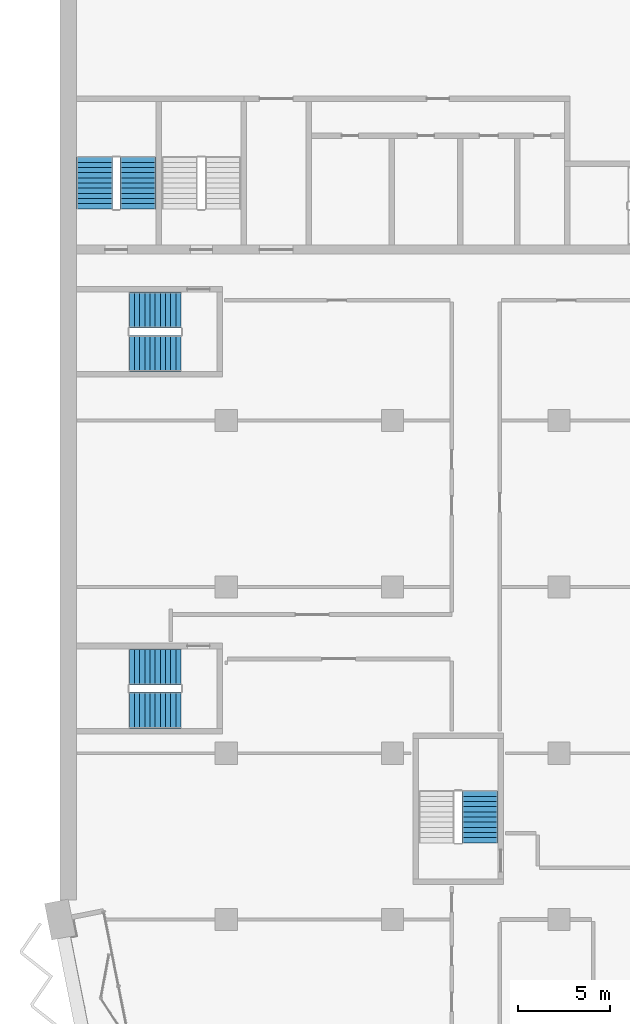
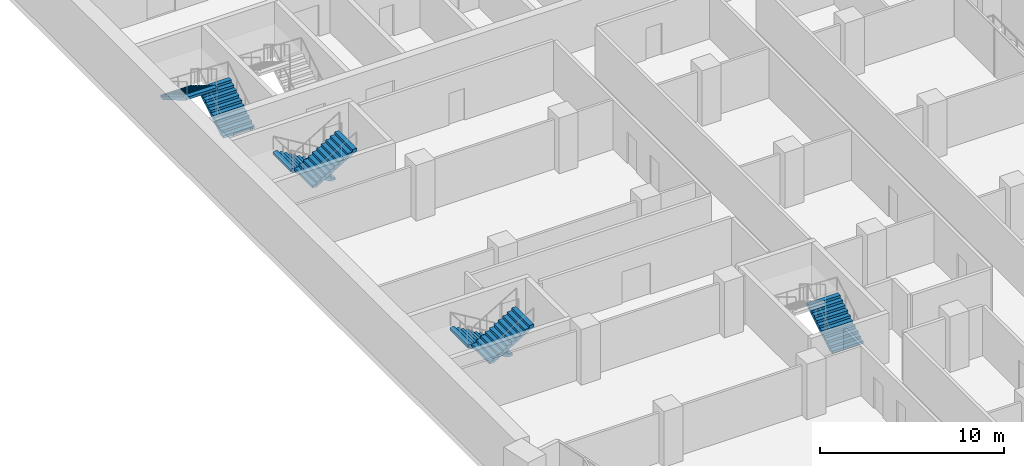
# One storey, part 16 of 23: 7 stair flights, 4 elements without a shape of their own.
"""IFC4 building model written with IfcOpenShell, lengths in metres."""

from ifc_helpers import new_model, si_unit, direction, frame, origin, place, context, subcontext, project, spatial, polyline, outline, extrude, material, type_object, element, aggregate, save


model = new_model("IFC4")

# Units and contexts
model_context = context("Model", 3, precision=1e-05, world=origin(), true_north=direction((0.0, 1.0)))
body_context = subcontext(model_context, "Body", "Model", "MODEL_VIEW")
ifc_project = project(units=[si_unit("LENGTHUNIT", "METRE"), si_unit("AREAUNIT", "SQUARE_METRE"), si_unit("VOLUMEUNIT", "CUBIC_METRE"), si_unit("PLANEANGLEUNIT", "RADIAN"), si_unit("MASSUNIT", "GRAM", prefix="KILO")], contexts=[model_context])

# Site, building, storey
site_placement = place(None, origin())
site = spatial("IfcSite", under=ifc_project, at=site_placement, CompositionType="ELEMENT")
building_placement = place(site_placement, origin())
building = spatial("IfcBuilding", under=site, at=building_placement, Name="Hunhe Ridgeline Campus", CompositionType="ELEMENT")
storey_placement = place(building_placement, frame((0.0, 0.0, 170.800048828125)))
storey = spatial("IfcBuildingStorey", under=building, at=storey_placement, Name="L43", CompositionType="ELEMENT", Elevation=170.800048828125)

# Stair, stair flights
ifc_material = material(Name="Concrete C40", Category="concrete")
stair_type = type_object("IfcStairType", Name="Reinforced concrete dog-leg stair 1950 Concrete C40", PredefinedType="HALF_TURN_STAIR", material=ifc_material)
stair_1_placement = place(storey_placement, origin())
stair_1 = element("IfcStair", 1, at=stair_1_placement, inside=storey, type_object=stair_type, Name="L43 S3", PredefinedType="HALF_TURN_STAIR")
stair_flight_type = type_object("IfcStairFlightType", Name="Reinforced concrete stair flight 1950 Concrete C40", PredefinedType="STRAIGHT", material=ifc_material)
stair_flight_1_placement = place(storey_placement, frame((4.22509765625, 65.449951171875, 0.0), z_axis=(0.0, 0.0, 1.0), x_axis=(0.0, 1.0, 0.0)))
stair_flight_1 = element("IfcStairFlight", 2, at=stair_flight_1_placement, type_object=stair_flight_type, Name="ST3 flight 1", NumberOfRisers=11, NumberOfTreads=10, PredefinedType="STRAIGHT", RiserHeight=0.168181818, TreadLength=0.28, context=body_context, shape_type="SweptSolid", body=[
    extrude(outline(polyline([(0.0, 0.0), (0.0, 0.168212890625), (0.280029296875, 0.168212890625), (0.280029296875, 0.33642578125), (0.56005859375, 0.33642578125), (0.56005859375, 0.504638671875), (0.840087890625, 0.504638671875), (0.840087890625, 0.672607421875), (1.1201171875, 0.672607421875), (1.1201171875, 0.8408203125), (1.39990234375, 0.8408203125), (1.39990234375, 1.009033203125), (1.679931640625, 1.009033203125), (1.679931640625, 1.17724609375), (1.9599609375, 1.17724609375), (1.9599609375, 1.345458984375), (2.239990234375, 1.345458984375), (2.239990234375, 1.513671875), (2.52001953125, 1.513671875), (2.52001953125, 1.681884765625), (2.800048828125, 1.681884765625), (2.800048828125, 1.85009765625), (2.800048828125, 1.5068359375), (0.291015625, 0.0), (0.0, 0.0)])), frame((0.0, 0.97509765625, 0.0), z_axis=(0.0, -1.0, 0.0), x_axis=(1.0, 0.0, 0.0)), (0.0, 0.0, 1.0), 1.949951171875),
    extrude(outline(polyline([(0.030029296875, 0.030029296875), (0.030029296875, 0.13818359375), (0.31005859375, 0.13818359375), (0.31005859375, 0.306396484375), (0.590087890625, 0.306396484375), (0.590087890625, 0.474609375), (0.8701171875, 0.474609375), (0.8701171875, 0.642578125), (1.14990234375, 0.642578125), (1.14990234375, 0.810791015625), (1.429931640625, 0.810791015625), (1.429931640625, 0.97900390625), (1.7099609375, 0.97900390625), (1.7099609375, 1.147216796875), (1.989990234375, 1.147216796875), (1.989990234375, 1.3154296875), (2.27001953125, 1.3154296875), (2.27001953125, 1.483642578125), (2.550048828125, 1.483642578125), (2.550048828125, 1.65185546875), (2.77001953125, 1.65185546875), (2.77001953125, 1.52392578125), (0.28271484375, 0.030029296875), (0.030029296875, 0.030029296875)])), frame((0.0, -0.070068359375, 0.0), z_axis=(0.0, -1.0, 0.0), x_axis=(1.0, 0.0, 0.0)), (0.0, 0.0, 1.0), 0.019775390625),
    extrude(outline(polyline([(0.030029296875, 0.030029296875), (0.030029296875, 0.13818359375), (0.31005859375, 0.13818359375), (0.31005859375, 0.306396484375), (0.590087890625, 0.306396484375), (0.590087890625, 0.474609375), (0.8701171875, 0.474609375), (0.8701171875, 0.642578125), (1.14990234375, 0.642578125), (1.14990234375, 0.810791015625), (1.429931640625, 0.810791015625), (1.429931640625, 0.97900390625), (1.7099609375, 0.97900390625), (1.7099609375, 1.147216796875), (1.989990234375, 1.147216796875), (1.989990234375, 1.3154296875), (2.27001953125, 1.3154296875), (2.27001953125, 1.483642578125), (2.550048828125, 1.483642578125), (2.550048828125, 1.65185546875), (2.77001953125, 1.65185546875), (2.77001953125, 1.52392578125), (0.28271484375, 0.030029296875), (0.030029296875, 0.030029296875)])), frame((0.0, 0.010009765625, 0.0), z_axis=(0.0, -1.0, 0.0), x_axis=(1.0, 0.0, 0.0)), (0.0, 0.0, 1.0), 0.019775390625),
    extrude(outline(polyline([(0.030029296875, 0.030029296875), (0.030029296875, 0.13818359375), (0.31005859375, 0.13818359375), (0.31005859375, 0.306396484375), (0.590087890625, 0.306396484375), (0.590087890625, 0.474609375), (0.8701171875, 0.474609375), (0.8701171875, 0.642578125), (1.14990234375, 0.642578125), (1.14990234375, 0.810791015625), (1.429931640625, 0.810791015625), (1.429931640625, 0.97900390625), (1.7099609375, 0.97900390625), (1.7099609375, 1.147216796875), (1.989990234375, 1.147216796875), (1.989990234375, 1.3154296875), (2.27001953125, 1.3154296875), (2.27001953125, 1.483642578125), (2.550048828125, 1.483642578125), (2.550048828125, 1.65185546875), (2.77001953125, 1.65185546875), (2.77001953125, 1.52392578125), (0.28271484375, 0.030029296875), (0.030029296875, 0.030029296875)])), frame((0.0, 0.090087890625, 0.0), z_axis=(0.0, -1.0, 0.0), x_axis=(1.0, 0.0, 0.0)), (0.0, 0.0, 1.0), 0.019775390625),
])
stair_flight_2_placement = place(storey_placement, frame((1.875, 68.25, 1.849853515625), z_axis=(0.0, 0.0, 1.0), x_axis=(0.0, -1.0, 0.0)))
stair_flight_2 = element("IfcStairFlight", 3, at=stair_flight_2_placement, type_object=stair_flight_type, Name="ST3 flight 2", NumberOfRisers=11, NumberOfTreads=10, PredefinedType="STRAIGHT", RiserHeight=0.168181818, TreadLength=0.28, context=body_context, shape_type="SweptSolid", body=[
    extrude(outline(polyline([(0.0, 0.0), (0.0, 0.168212890625), (0.280029296875, 0.168212890625), (0.280029296875, 0.33642578125), (0.56005859375, 0.33642578125), (0.56005859375, 0.504638671875), (0.840087890625, 0.504638671875), (0.840087890625, 0.672607421875), (1.1201171875, 0.672607421875), (1.1201171875, 0.8408203125), (1.39990234375, 0.8408203125), (1.39990234375, 1.009033203125), (1.679931640625, 1.009033203125), (1.679931640625, 1.17724609375), (1.9599609375, 1.17724609375), (1.9599609375, 1.345458984375), (2.239990234375, 1.345458984375), (2.239990234375, 1.513671875), (2.52001953125, 1.513671875), (2.52001953125, 1.681884765625), (2.800048828125, 1.681884765625), (2.800048828125, 1.85009765625), (2.800048828125, 1.5068359375), (0.291015625, 0.0), (0.0, 0.0)])), frame((0.0, 0.97509765625, 0.0), z_axis=(0.0, -1.0, 0.0), x_axis=(1.0, 0.0, 0.0)), (0.0, 0.0, 1.0), 1.949951171875),
    extrude(outline(polyline([(0.030029296875, 0.030029296875), (0.030029296875, 0.13818359375), (0.31005859375, 0.13818359375), (0.31005859375, 0.306396484375), (0.590087890625, 0.306396484375), (0.590087890625, 0.474609375), (0.8701171875, 0.474609375), (0.8701171875, 0.642578125), (1.14990234375, 0.642578125), (1.14990234375, 0.810791015625), (1.429931640625, 0.810791015625), (1.429931640625, 0.97900390625), (1.7099609375, 0.97900390625), (1.7099609375, 1.147216796875), (1.989990234375, 1.147216796875), (1.989990234375, 1.3154296875), (2.27001953125, 1.3154296875), (2.27001953125, 1.483642578125), (2.550048828125, 1.483642578125), (2.550048828125, 1.65185546875), (2.77001953125, 1.65185546875), (2.77001953125, 1.52392578125), (0.28271484375, 0.030029296875), (0.030029296875, 0.030029296875)])), frame((0.0, -0.070068359375, 0.0), z_axis=(0.0, -1.0, 0.0), x_axis=(1.0, 0.0, 0.0)), (0.0, 0.0, 1.0), 0.019775390625),
    extrude(outline(polyline([(0.030029296875, 0.030029296875), (0.030029296875, 0.13818359375), (0.31005859375, 0.13818359375), (0.31005859375, 0.306396484375), (0.590087890625, 0.306396484375), (0.590087890625, 0.474609375), (0.8701171875, 0.474609375), (0.8701171875, 0.642578125), (1.14990234375, 0.642578125), (1.14990234375, 0.810791015625), (1.429931640625, 0.810791015625), (1.429931640625, 0.97900390625), (1.7099609375, 0.97900390625), (1.7099609375, 1.147216796875), (1.989990234375, 1.147216796875), (1.989990234375, 1.3154296875), (2.27001953125, 1.3154296875), (2.27001953125, 1.483642578125), (2.550048828125, 1.483642578125), (2.550048828125, 1.65185546875), (2.77001953125, 1.65185546875), (2.77001953125, 1.52392578125), (0.28271484375, 0.030029296875), (0.030029296875, 0.030029296875)])), frame((0.0, 0.010009765625, 0.0), z_axis=(0.0, -1.0, 0.0), x_axis=(1.0, 0.0, 0.0)), (0.0, 0.0, 1.0), 0.019775390625),
    extrude(outline(polyline([(0.030029296875, 0.030029296875), (0.030029296875, 0.13818359375), (0.31005859375, 0.13818359375), (0.31005859375, 0.306396484375), (0.590087890625, 0.306396484375), (0.590087890625, 0.474609375), (0.8701171875, 0.474609375), (0.8701171875, 0.642578125), (1.14990234375, 0.642578125), (1.14990234375, 0.810791015625), (1.429931640625, 0.810791015625), (1.429931640625, 0.97900390625), (1.7099609375, 0.97900390625), (1.7099609375, 1.147216796875), (1.989990234375, 1.147216796875), (1.989990234375, 1.3154296875), (2.27001953125, 1.3154296875), (2.27001953125, 1.483642578125), (2.550048828125, 1.483642578125), (2.550048828125, 1.65185546875), (2.77001953125, 1.65185546875), (2.77001953125, 1.52392578125), (0.28271484375, 0.030029296875), (0.030029296875, 0.030029296875)])), frame((0.0, 0.090087890625, 0.0), z_axis=(0.0, -1.0, 0.0), x_axis=(1.0, 0.0, 0.0)), (0.0, 0.0, 1.0), 0.019775390625),
])
aggregate(stair_1, [stair_flight_1, stair_flight_2])

# Stair, stair flight
stair_2_placement = place(storey_placement, origin())
stair_2 = element("IfcStair", 4, at=stair_2_placement, inside=storey, type_object=stair_type, Name="L43 W3", PredefinedType="HALF_TURN_STAIR")
stair_flight_3_placement = place(storey_placement, frame((22.72509765625, 31.14990234375, 0.0), z_axis=(0.0, 0.0, 1.0), x_axis=(0.0, 1.0, 0.0)))
stair_flight_3 = element("IfcStairFlight", 5, at=stair_flight_3_placement, type_object=stair_flight_type, Name="ST9 flight 1", NumberOfRisers=11, NumberOfTreads=10, PredefinedType="STRAIGHT", RiserHeight=0.168181818, TreadLength=0.28, context=body_context, shape_type="SweptSolid", body=[
    extrude(outline(polyline([(0.0, 0.0), (0.0, 0.168212890625), (0.280029296875, 0.168212890625), (0.280029296875, 0.33642578125), (0.56005859375, 0.33642578125), (0.56005859375, 0.504638671875), (0.840087890625, 0.504638671875), (0.840087890625, 0.672607421875), (1.1201171875, 0.672607421875), (1.1201171875, 0.8408203125), (1.39990234375, 0.8408203125), (1.39990234375, 1.009033203125), (1.679931640625, 1.009033203125), (1.679931640625, 1.17724609375), (1.9599609375, 1.17724609375), (1.9599609375, 1.345458984375), (2.239990234375, 1.345458984375), (2.239990234375, 1.513671875), (2.52001953125, 1.513671875), (2.52001953125, 1.681884765625), (2.800048828125, 1.681884765625), (2.800048828125, 1.85009765625), (2.800048828125, 1.5068359375), (0.291015625, 0.0), (0.0, 0.0)])), frame((0.0, 0.97509765625, 0.0), z_axis=(0.0, -1.0, 0.0), x_axis=(1.0, 0.0, 0.0)), (0.0, 0.0, 1.0), 1.949951171875),
    extrude(outline(polyline([(0.030029296875, 0.030029296875), (0.030029296875, 0.13818359375), (0.31005859375, 0.13818359375), (0.31005859375, 0.306396484375), (0.590087890625, 0.306396484375), (0.590087890625, 0.474609375), (0.8701171875, 0.474609375), (0.8701171875, 0.642578125), (1.14990234375, 0.642578125), (1.14990234375, 0.810791015625), (1.429931640625, 0.810791015625), (1.429931640625, 0.97900390625), (1.7099609375, 0.97900390625), (1.7099609375, 1.147216796875), (1.989990234375, 1.147216796875), (1.989990234375, 1.3154296875), (2.27001953125, 1.3154296875), (2.27001953125, 1.483642578125), (2.550048828125, 1.483642578125), (2.550048828125, 1.65185546875), (2.77001953125, 1.65185546875), (2.77001953125, 1.52392578125), (0.28271484375, 0.030029296875), (0.030029296875, 0.030029296875)])), frame((0.0, -0.070068359375, 0.0), z_axis=(0.0, -1.0, 0.0), x_axis=(1.0, 0.0, 0.0)), (0.0, 0.0, 1.0), 0.019775390625),
    extrude(outline(polyline([(0.030029296875, 0.030029296875), (0.030029296875, 0.13818359375), (0.31005859375, 0.13818359375), (0.31005859375, 0.306396484375), (0.590087890625, 0.306396484375), (0.590087890625, 0.474609375), (0.8701171875, 0.474609375), (0.8701171875, 0.642578125), (1.14990234375, 0.642578125), (1.14990234375, 0.810791015625), (1.429931640625, 0.810791015625), (1.429931640625, 0.97900390625), (1.7099609375, 0.97900390625), (1.7099609375, 1.147216796875), (1.989990234375, 1.147216796875), (1.989990234375, 1.3154296875), (2.27001953125, 1.3154296875), (2.27001953125, 1.483642578125), (2.550048828125, 1.483642578125), (2.550048828125, 1.65185546875), (2.77001953125, 1.65185546875), (2.77001953125, 1.52392578125), (0.28271484375, 0.030029296875), (0.030029296875, 0.030029296875)])), frame((0.0, 0.010009765625, 0.0), z_axis=(0.0, -1.0, 0.0), x_axis=(1.0, 0.0, 0.0)), (0.0, 0.0, 1.0), 0.019775390625),
    extrude(outline(polyline([(0.030029296875, 0.030029296875), (0.030029296875, 0.13818359375), (0.31005859375, 0.13818359375), (0.31005859375, 0.306396484375), (0.590087890625, 0.306396484375), (0.590087890625, 0.474609375), (0.8701171875, 0.474609375), (0.8701171875, 0.642578125), (1.14990234375, 0.642578125), (1.14990234375, 0.810791015625), (1.429931640625, 0.810791015625), (1.429931640625, 0.97900390625), (1.7099609375, 0.97900390625), (1.7099609375, 1.147216796875), (1.989990234375, 1.147216796875), (1.989990234375, 1.3154296875), (2.27001953125, 1.3154296875), (2.27001953125, 1.483642578125), (2.550048828125, 1.483642578125), (2.550048828125, 1.65185546875), (2.77001953125, 1.65185546875), (2.77001953125, 1.52392578125), (0.28271484375, 0.030029296875), (0.030029296875, 0.030029296875)])), frame((0.0, 0.090087890625, 0.0), z_axis=(0.0, -1.0, 0.0), x_axis=(1.0, 0.0, 0.0)), (0.0, 0.0, 1.0), 0.019775390625),
])
aggregate(stair_2, [stair_flight_3])

# Stair, stair flights
stair_3_placement = place(storey_placement, origin())
stair_3 = element("IfcStair", 6, at=stair_3_placement, inside=storey, type_object=stair_type, Name="L43 W1", PredefinedType="HALF_TURN_STAIR")
stair_flight_4_placement = place(storey_placement, frame((6.550048828125, 40.675048828125, 0.0), z_axis=(0.0, 0.0, 1.0), x_axis=(-1.0, 0.0, 0.0)))
stair_flight_4 = element("IfcStairFlight", 7, at=stair_flight_4_placement, type_object=stair_flight_type, Name="ST11 flight 1", NumberOfRisers=11, NumberOfTreads=10, PredefinedType="STRAIGHT", RiserHeight=0.168181818, TreadLength=0.28, context=body_context, shape_type="SweptSolid", body=[
    extrude(outline(polyline([(0.0, 0.0), (0.0, 0.168212890625), (0.280029296875, 0.168212890625), (0.280029296875, 0.33642578125), (0.56005859375, 0.33642578125), (0.56005859375, 0.504638671875), (0.840087890625, 0.504638671875), (0.840087890625, 0.672607421875), (1.1201171875, 0.672607421875), (1.1201171875, 0.8408203125), (1.39990234375, 0.8408203125), (1.39990234375, 1.009033203125), (1.679931640625, 1.009033203125), (1.679931640625, 1.17724609375), (1.9599609375, 1.17724609375), (1.9599609375, 1.345458984375), (2.239990234375, 1.345458984375), (2.239990234375, 1.513671875), (2.52001953125, 1.513671875), (2.52001953125, 1.681884765625), (2.800048828125, 1.681884765625), (2.800048828125, 1.85009765625), (2.800048828125, 1.5068359375), (0.291015625, 0.0), (0.0, 0.0)])), frame((0.0, 0.97509765625, 0.0), z_axis=(0.0, -1.0, 0.0), x_axis=(1.0, 0.0, 0.0)), (0.0, 0.0, 1.0), 1.949951171875),
    extrude(outline(polyline([(0.030029296875, 0.030029296875), (0.030029296875, 0.13818359375), (0.31005859375, 0.13818359375), (0.31005859375, 0.306396484375), (0.590087890625, 0.306396484375), (0.590087890625, 0.474609375), (0.8701171875, 0.474609375), (0.8701171875, 0.642578125), (1.14990234375, 0.642578125), (1.14990234375, 0.810791015625), (1.429931640625, 0.810791015625), (1.429931640625, 0.97900390625), (1.7099609375, 0.97900390625), (1.7099609375, 1.147216796875), (1.989990234375, 1.147216796875), (1.989990234375, 1.3154296875), (2.27001953125, 1.3154296875), (2.27001953125, 1.483642578125), (2.550048828125, 1.483642578125), (2.550048828125, 1.65185546875), (2.77001953125, 1.65185546875), (2.77001953125, 1.52392578125), (0.28271484375, 0.030029296875), (0.030029296875, 0.030029296875)])), frame((0.0, -0.070068359375, 0.0), z_axis=(0.0, -1.0, 0.0), x_axis=(1.0, 0.0, 0.0)), (0.0, 0.0, 1.0), 0.019775390625),
    extrude(outline(polyline([(0.030029296875, 0.030029296875), (0.030029296875, 0.13818359375), (0.31005859375, 0.13818359375), (0.31005859375, 0.306396484375), (0.590087890625, 0.306396484375), (0.590087890625, 0.474609375), (0.8701171875, 0.474609375), (0.8701171875, 0.642578125), (1.14990234375, 0.642578125), (1.14990234375, 0.810791015625), (1.429931640625, 0.810791015625), (1.429931640625, 0.97900390625), (1.7099609375, 0.97900390625), (1.7099609375, 1.147216796875), (1.989990234375, 1.147216796875), (1.989990234375, 1.3154296875), (2.27001953125, 1.3154296875), (2.27001953125, 1.483642578125), (2.550048828125, 1.483642578125), (2.550048828125, 1.65185546875), (2.77001953125, 1.65185546875), (2.77001953125, 1.52392578125), (0.28271484375, 0.030029296875), (0.030029296875, 0.030029296875)])), frame((0.0, 0.010009765625, 0.0), z_axis=(0.0, -1.0, 0.0), x_axis=(1.0, 0.0, 0.0)), (0.0, 0.0, 1.0), 0.019775390625),
    extrude(outline(polyline([(0.030029296875, 0.030029296875), (0.030029296875, 0.13818359375), (0.31005859375, 0.13818359375), (0.31005859375, 0.306396484375), (0.590087890625, 0.306396484375), (0.590087890625, 0.474609375), (0.8701171875, 0.474609375), (0.8701171875, 0.642578125), (1.14990234375, 0.642578125), (1.14990234375, 0.810791015625), (1.429931640625, 0.810791015625), (1.429931640625, 0.97900390625), (1.7099609375, 0.97900390625), (1.7099609375, 1.147216796875), (1.989990234375, 1.147216796875), (1.989990234375, 1.3154296875), (2.27001953125, 1.3154296875), (2.27001953125, 1.483642578125), (2.550048828125, 1.483642578125), (2.550048828125, 1.65185546875), (2.77001953125, 1.65185546875), (2.77001953125, 1.52392578125), (0.28271484375, 0.030029296875), (0.030029296875, 0.030029296875)])), frame((0.0, 0.090087890625, 0.0), z_axis=(0.0, -1.0, 0.0), x_axis=(1.0, 0.0, 0.0)), (0.0, 0.0, 1.0), 0.019775390625),
])
stair_flight_5_placement = place(storey_placement, frame((3.75, 38.324951171875, 1.849853515625), z_axis=(0.0, 0.0, 1.0), x_axis=(1.0, 0.0, 0.0)))
stair_flight_5 = element("IfcStairFlight", 8, at=stair_flight_5_placement, type_object=stair_flight_type, Name="ST11 flight 2", NumberOfRisers=11, NumberOfTreads=10, PredefinedType="STRAIGHT", RiserHeight=0.168181818, TreadLength=0.28, context=body_context, shape_type="SweptSolid", body=[
    extrude(outline(polyline([(0.0, 0.0), (0.0, 0.168212890625), (0.280029296875, 0.168212890625), (0.280029296875, 0.33642578125), (0.56005859375, 0.33642578125), (0.56005859375, 0.504638671875), (0.840087890625, 0.504638671875), (0.840087890625, 0.672607421875), (1.1201171875, 0.672607421875), (1.1201171875, 0.8408203125), (1.39990234375, 0.8408203125), (1.39990234375, 1.009033203125), (1.679931640625, 1.009033203125), (1.679931640625, 1.17724609375), (1.9599609375, 1.17724609375), (1.9599609375, 1.345458984375), (2.239990234375, 1.345458984375), (2.239990234375, 1.513671875), (2.52001953125, 1.513671875), (2.52001953125, 1.681884765625), (2.800048828125, 1.681884765625), (2.800048828125, 1.85009765625), (2.800048828125, 1.5068359375), (0.291015625, 0.0), (0.0, 0.0)])), frame((0.0, 0.97509765625, 0.0), z_axis=(0.0, -1.0, 0.0), x_axis=(1.0, 0.0, 0.0)), (0.0, 0.0, 1.0), 1.949951171875),
    extrude(outline(polyline([(0.030029296875, 0.030029296875), (0.030029296875, 0.13818359375), (0.31005859375, 0.13818359375), (0.31005859375, 0.306396484375), (0.590087890625, 0.306396484375), (0.590087890625, 0.474609375), (0.8701171875, 0.474609375), (0.8701171875, 0.642578125), (1.14990234375, 0.642578125), (1.14990234375, 0.810791015625), (1.429931640625, 0.810791015625), (1.429931640625, 0.97900390625), (1.7099609375, 0.97900390625), (1.7099609375, 1.147216796875), (1.989990234375, 1.147216796875), (1.989990234375, 1.3154296875), (2.27001953125, 1.3154296875), (2.27001953125, 1.483642578125), (2.550048828125, 1.483642578125), (2.550048828125, 1.65185546875), (2.77001953125, 1.65185546875), (2.77001953125, 1.52392578125), (0.28271484375, 0.030029296875), (0.030029296875, 0.030029296875)])), frame((0.0, -0.070068359375, 0.0), z_axis=(0.0, -1.0, 0.0), x_axis=(1.0, 0.0, 0.0)), (0.0, 0.0, 1.0), 0.019775390625),
    extrude(outline(polyline([(0.030029296875, 0.030029296875), (0.030029296875, 0.13818359375), (0.31005859375, 0.13818359375), (0.31005859375, 0.306396484375), (0.590087890625, 0.306396484375), (0.590087890625, 0.474609375), (0.8701171875, 0.474609375), (0.8701171875, 0.642578125), (1.14990234375, 0.642578125), (1.14990234375, 0.810791015625), (1.429931640625, 0.810791015625), (1.429931640625, 0.97900390625), (1.7099609375, 0.97900390625), (1.7099609375, 1.147216796875), (1.989990234375, 1.147216796875), (1.989990234375, 1.3154296875), (2.27001953125, 1.3154296875), (2.27001953125, 1.483642578125), (2.550048828125, 1.483642578125), (2.550048828125, 1.65185546875), (2.77001953125, 1.65185546875), (2.77001953125, 1.52392578125), (0.28271484375, 0.030029296875), (0.030029296875, 0.030029296875)])), frame((0.0, 0.010009765625, 0.0), z_axis=(0.0, -1.0, 0.0), x_axis=(1.0, 0.0, 0.0)), (0.0, 0.0, 1.0), 0.019775390625),
    extrude(outline(polyline([(0.030029296875, 0.030029296875), (0.030029296875, 0.13818359375), (0.31005859375, 0.13818359375), (0.31005859375, 0.306396484375), (0.590087890625, 0.306396484375), (0.590087890625, 0.474609375), (0.8701171875, 0.474609375), (0.8701171875, 0.642578125), (1.14990234375, 0.642578125), (1.14990234375, 0.810791015625), (1.429931640625, 0.810791015625), (1.429931640625, 0.97900390625), (1.7099609375, 0.97900390625), (1.7099609375, 1.147216796875), (1.989990234375, 1.147216796875), (1.989990234375, 1.3154296875), (2.27001953125, 1.3154296875), (2.27001953125, 1.483642578125), (2.550048828125, 1.483642578125), (2.550048828125, 1.65185546875), (2.77001953125, 1.65185546875), (2.77001953125, 1.52392578125), (0.28271484375, 0.030029296875), (0.030029296875, 0.030029296875)])), frame((0.0, 0.090087890625, 0.0), z_axis=(0.0, -1.0, 0.0), x_axis=(1.0, 0.0, 0.0)), (0.0, 0.0, 1.0), 0.019775390625),
])
aggregate(stair_3, [stair_flight_4, stair_flight_5])

stair_4_placement = place(storey_placement, origin())
stair_4 = element("IfcStair", 9, at=stair_4_placement, inside=storey, type_object=stair_type, Name="L43 W2", PredefinedType="HALF_TURN_STAIR")
stair_flight_6_placement = place(storey_placement, frame((6.550048828125, 59.97509765625, 0.0), z_axis=(0.0, 0.0, 1.0), x_axis=(-1.0, 0.0, 0.0)))
stair_flight_6 = element("IfcStairFlight", 10, at=stair_flight_6_placement, type_object=stair_flight_type, Name="ST12 flight 1", NumberOfRisers=11, NumberOfTreads=10, PredefinedType="STRAIGHT", RiserHeight=0.168181818, TreadLength=0.28, context=body_context, shape_type="SweptSolid", body=[
    extrude(outline(polyline([(0.0, 0.0), (0.0, 0.168212890625), (0.280029296875, 0.168212890625), (0.280029296875, 0.33642578125), (0.56005859375, 0.33642578125), (0.56005859375, 0.504638671875), (0.840087890625, 0.504638671875), (0.840087890625, 0.672607421875), (1.1201171875, 0.672607421875), (1.1201171875, 0.8408203125), (1.39990234375, 0.8408203125), (1.39990234375, 1.009033203125), (1.679931640625, 1.009033203125), (1.679931640625, 1.17724609375), (1.9599609375, 1.17724609375), (1.9599609375, 1.345458984375), (2.239990234375, 1.345458984375), (2.239990234375, 1.513671875), (2.52001953125, 1.513671875), (2.52001953125, 1.681884765625), (2.800048828125, 1.681884765625), (2.800048828125, 1.85009765625), (2.800048828125, 1.5068359375), (0.291015625, 0.0), (0.0, 0.0)])), frame((0.0, 0.97509765625, 0.0), z_axis=(0.0, -1.0, 0.0), x_axis=(1.0, 0.0, 0.0)), (0.0, 0.0, 1.0), 1.949951171875),
    extrude(outline(polyline([(0.030029296875, 0.030029296875), (0.030029296875, 0.13818359375), (0.31005859375, 0.13818359375), (0.31005859375, 0.306396484375), (0.590087890625, 0.306396484375), (0.590087890625, 0.474609375), (0.8701171875, 0.474609375), (0.8701171875, 0.642578125), (1.14990234375, 0.642578125), (1.14990234375, 0.810791015625), (1.429931640625, 0.810791015625), (1.429931640625, 0.97900390625), (1.7099609375, 0.97900390625), (1.7099609375, 1.147216796875), (1.989990234375, 1.147216796875), (1.989990234375, 1.3154296875), (2.27001953125, 1.3154296875), (2.27001953125, 1.483642578125), (2.550048828125, 1.483642578125), (2.550048828125, 1.65185546875), (2.77001953125, 1.65185546875), (2.77001953125, 1.52392578125), (0.28271484375, 0.030029296875), (0.030029296875, 0.030029296875)])), frame((0.0, -0.070068359375, 0.0), z_axis=(0.0, -1.0, 0.0), x_axis=(1.0, 0.0, 0.0)), (0.0, 0.0, 1.0), 0.019775390625),
    extrude(outline(polyline([(0.030029296875, 0.030029296875), (0.030029296875, 0.13818359375), (0.31005859375, 0.13818359375), (0.31005859375, 0.306396484375), (0.590087890625, 0.306396484375), (0.590087890625, 0.474609375), (0.8701171875, 0.474609375), (0.8701171875, 0.642578125), (1.14990234375, 0.642578125), (1.14990234375, 0.810791015625), (1.429931640625, 0.810791015625), (1.429931640625, 0.97900390625), (1.7099609375, 0.97900390625), (1.7099609375, 1.147216796875), (1.989990234375, 1.147216796875), (1.989990234375, 1.3154296875), (2.27001953125, 1.3154296875), (2.27001953125, 1.483642578125), (2.550048828125, 1.483642578125), (2.550048828125, 1.65185546875), (2.77001953125, 1.65185546875), (2.77001953125, 1.52392578125), (0.28271484375, 0.030029296875), (0.030029296875, 0.030029296875)])), frame((0.0, 0.010009765625, 0.0), z_axis=(0.0, -1.0, 0.0), x_axis=(1.0, 0.0, 0.0)), (0.0, 0.0, 1.0), 0.019775390625),
    extrude(outline(polyline([(0.030029296875, 0.030029296875), (0.030029296875, 0.13818359375), (0.31005859375, 0.13818359375), (0.31005859375, 0.306396484375), (0.590087890625, 0.306396484375), (0.590087890625, 0.474609375), (0.8701171875, 0.474609375), (0.8701171875, 0.642578125), (1.14990234375, 0.642578125), (1.14990234375, 0.810791015625), (1.429931640625, 0.810791015625), (1.429931640625, 0.97900390625), (1.7099609375, 0.97900390625), (1.7099609375, 1.147216796875), (1.989990234375, 1.147216796875), (1.989990234375, 1.3154296875), (2.27001953125, 1.3154296875), (2.27001953125, 1.483642578125), (2.550048828125, 1.483642578125), (2.550048828125, 1.65185546875), (2.77001953125, 1.65185546875), (2.77001953125, 1.52392578125), (0.28271484375, 0.030029296875), (0.030029296875, 0.030029296875)])), frame((0.0, 0.090087890625, 0.0), z_axis=(0.0, -1.0, 0.0), x_axis=(1.0, 0.0, 0.0)), (0.0, 0.0, 1.0), 0.019775390625),
])
stair_flight_7_placement = place(storey_placement, frame((3.75, 57.625, 1.849853515625), z_axis=(0.0, 0.0, 1.0), x_axis=(1.0, 0.0, 0.0)))
stair_flight_7 = element("IfcStairFlight", 11, at=stair_flight_7_placement, type_object=stair_flight_type, Name="ST12 flight 2", NumberOfRisers=11, NumberOfTreads=10, PredefinedType="STRAIGHT", RiserHeight=0.168181818, TreadLength=0.28, context=body_context, shape_type="SweptSolid", body=[
    extrude(outline(polyline([(0.0, 0.0), (0.0, 0.168212890625), (0.280029296875, 0.168212890625), (0.280029296875, 0.33642578125), (0.56005859375, 0.33642578125), (0.56005859375, 0.504638671875), (0.840087890625, 0.504638671875), (0.840087890625, 0.672607421875), (1.1201171875, 0.672607421875), (1.1201171875, 0.8408203125), (1.39990234375, 0.8408203125), (1.39990234375, 1.009033203125), (1.679931640625, 1.009033203125), (1.679931640625, 1.17724609375), (1.9599609375, 1.17724609375), (1.9599609375, 1.345458984375), (2.239990234375, 1.345458984375), (2.239990234375, 1.513671875), (2.52001953125, 1.513671875), (2.52001953125, 1.681884765625), (2.800048828125, 1.681884765625), (2.800048828125, 1.85009765625), (2.800048828125, 1.5068359375), (0.291015625, 0.0), (0.0, 0.0)])), frame((0.0, 0.97509765625, 0.0), z_axis=(0.0, -1.0, 0.0), x_axis=(1.0, 0.0, 0.0)), (0.0, 0.0, 1.0), 1.949951171875),
    extrude(outline(polyline([(0.030029296875, 0.030029296875), (0.030029296875, 0.13818359375), (0.31005859375, 0.13818359375), (0.31005859375, 0.306396484375), (0.590087890625, 0.306396484375), (0.590087890625, 0.474609375), (0.8701171875, 0.474609375), (0.8701171875, 0.642578125), (1.14990234375, 0.642578125), (1.14990234375, 0.810791015625), (1.429931640625, 0.810791015625), (1.429931640625, 0.97900390625), (1.7099609375, 0.97900390625), (1.7099609375, 1.147216796875), (1.989990234375, 1.147216796875), (1.989990234375, 1.3154296875), (2.27001953125, 1.3154296875), (2.27001953125, 1.483642578125), (2.550048828125, 1.483642578125), (2.550048828125, 1.65185546875), (2.77001953125, 1.65185546875), (2.77001953125, 1.52392578125), (0.28271484375, 0.030029296875), (0.030029296875, 0.030029296875)])), frame((0.0, -0.070068359375, 0.0), z_axis=(0.0, -1.0, 0.0), x_axis=(1.0, 0.0, 0.0)), (0.0, 0.0, 1.0), 0.019775390625),
    extrude(outline(polyline([(0.030029296875, 0.030029296875), (0.030029296875, 0.13818359375), (0.31005859375, 0.13818359375), (0.31005859375, 0.306396484375), (0.590087890625, 0.306396484375), (0.590087890625, 0.474609375), (0.8701171875, 0.474609375), (0.8701171875, 0.642578125), (1.14990234375, 0.642578125), (1.14990234375, 0.810791015625), (1.429931640625, 0.810791015625), (1.429931640625, 0.97900390625), (1.7099609375, 0.97900390625), (1.7099609375, 1.147216796875), (1.989990234375, 1.147216796875), (1.989990234375, 1.3154296875), (2.27001953125, 1.3154296875), (2.27001953125, 1.483642578125), (2.550048828125, 1.483642578125), (2.550048828125, 1.65185546875), (2.77001953125, 1.65185546875), (2.77001953125, 1.52392578125), (0.28271484375, 0.030029296875), (0.030029296875, 0.030029296875)])), frame((0.0, 0.010009765625, 0.0), z_axis=(0.0, -1.0, 0.0), x_axis=(1.0, 0.0, 0.0)), (0.0, 0.0, 1.0), 0.019775390625),
    extrude(outline(polyline([(0.030029296875, 0.030029296875), (0.030029296875, 0.13818359375), (0.31005859375, 0.13818359375), (0.31005859375, 0.306396484375), (0.590087890625, 0.306396484375), (0.590087890625, 0.474609375), (0.8701171875, 0.474609375), (0.8701171875, 0.642578125), (1.14990234375, 0.642578125), (1.14990234375, 0.810791015625), (1.429931640625, 0.810791015625), (1.429931640625, 0.97900390625), (1.7099609375, 0.97900390625), (1.7099609375, 1.147216796875), (1.989990234375, 1.147216796875), (1.989990234375, 1.3154296875), (2.27001953125, 1.3154296875), (2.27001953125, 1.483642578125), (2.550048828125, 1.483642578125), (2.550048828125, 1.65185546875), (2.77001953125, 1.65185546875), (2.77001953125, 1.52392578125), (0.28271484375, 0.030029296875), (0.030029296875, 0.030029296875)])), frame((0.0, 0.090087890625, 0.0), z_axis=(0.0, -1.0, 0.0), x_axis=(1.0, 0.0, 0.0)), (0.0, 0.0, 1.0), 0.019775390625),
])
aggregate(stair_4, [stair_flight_6, stair_flight_7])

save(model, "model.ifc")
